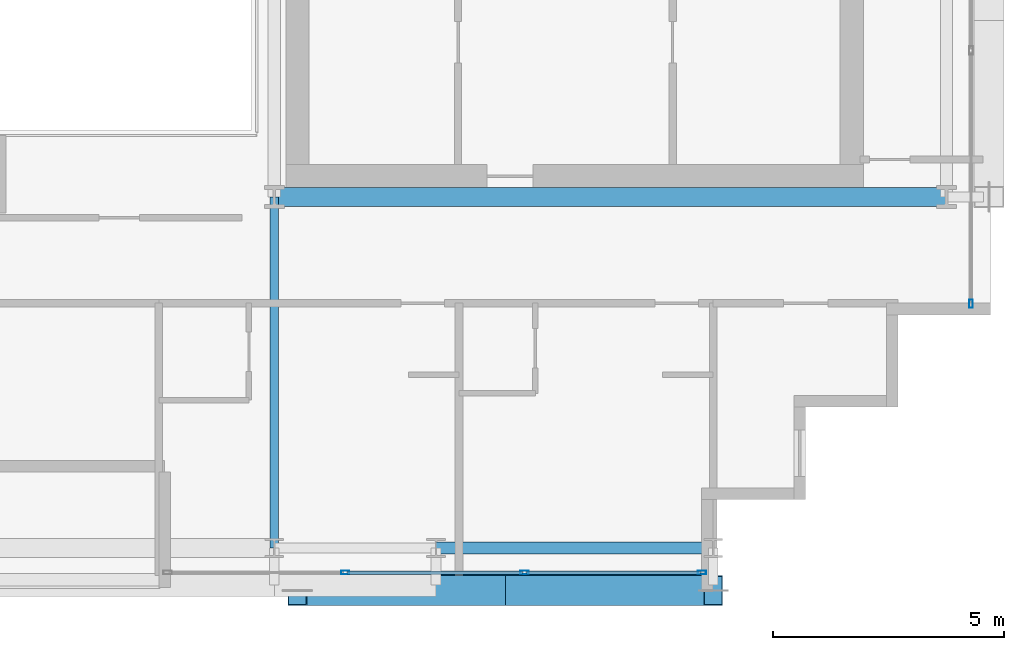
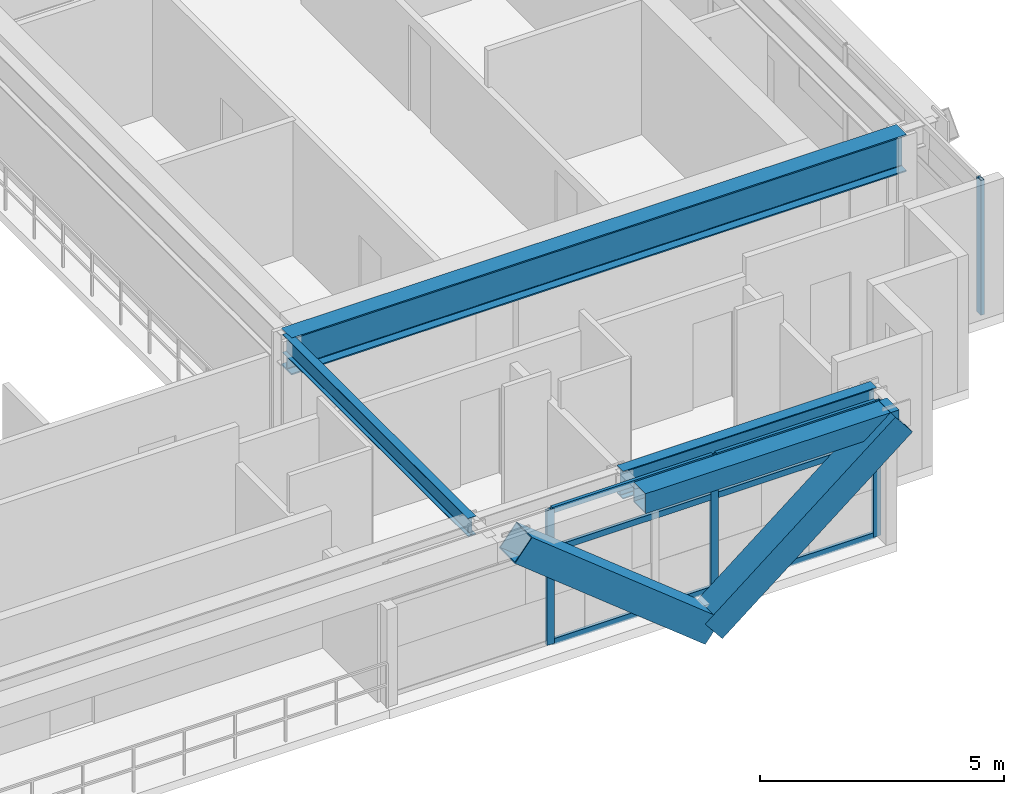
# One storey, part 10 of 32: 12 members, 4 beams, 2 elements without a shape of their own.
"""IFC4 building model written with IfcOpenShell, lengths in metres."""

from ifc_helpers import new_model, si_unit, direction, frame, origin, origin_2d, place, context, subcontext, project, spatial, hollow_rectangle, i_section, extrude, source, transform, mapped, material, layer, layer_set, material_profile, profile_set, type_object, element, aggregate, save


model = new_model("IFC4")

# Units and contexts
model_context = context("Model", 3, precision=1e-05, world=origin(), true_north=direction((0.0, 1.0)))
body_context = subcontext(model_context, "Body", "Model", "MODEL_VIEW")
ifc_project = project(units=[si_unit("LENGTHUNIT", "METRE"), si_unit("AREAUNIT", "SQUARE_METRE"), si_unit("VOLUMEUNIT", "CUBIC_METRE"), si_unit("PLANEANGLEUNIT", "RADIAN"), si_unit("MASSUNIT", "GRAM", prefix="KILO")], contexts=[model_context])

# Site, building, storey
site_placement = place(None, origin())
site = spatial("IfcSite", under=ifc_project, at=site_placement, CompositionType="ELEMENT")
building_placement = place(site_placement, origin())
building = spatial("IfcBuilding", under=site, at=building_placement, Name="Ocotamira Hotel", CompositionType="ELEMENT")
storey_placement = place(building_placement, frame((0.0, 0.0, 213.60009765625)))
storey = spatial("IfcBuildingStorey", under=building, at=storey_placement, Name="L54", CompositionType="ELEMENT", Elevation=213.60009765625)

# Beams
ifc_material_1 = material(Name="Steel ASTM A992 Grade 50", Category="steel")
ifc_material_profile_1 = material_profile(ifc_material_1, i_section(OverallWidth=0.41796875, OverallDepth=0.927001953125, WebThickness=0.019287109375, FlangeThickness=0.031982421875, FilletRadius=0.02392578125, at=origin_2d()), Name="W36X231")
ifc_profile_set_1 = profile_set([ifc_material_profile_1], Name="Steel ASTM A992 Grade 50")
beam_type_1 = type_object("IfcBeamType", Name="BM-GIRD-W36X231", PredefinedType="BEAM", material=ifc_profile_set_1)
shared_shape_1 = source(origin(), body_context, "Body", "SweptSolid", [
    extrude(i_section(OverallWidth=0.41796875, OverallDepth=0.927001953125, WebThickness=0.019287109375, FlangeThickness=0.031982421875, FilletRadius=0.02392578125, at=origin_2d()), origin(), (0.0, 0.0, 1.0), 14.550048828125),
])
beam_1_placement = place(storey_placement, frame((40.5, 14.550048828125, 2.906494140625), z_axis=(1.0, 0.0, 0.0), x_axis=(0.0, 1.0, 0.0)))
element("IfcBeam", 1, at=beam_1_placement, inside=storey, type_object=beam_type_1, Name="L54 Girder Y14.55 X40.5-55.05", PredefinedType="BEAM", context=body_context, shape_type="MappedRepresentation", body=[
    mapped(shared_shape_1, transform((0.0, 0.0, 0.0), scale=1.0)),
])
ifc_material_profile_2 = material_profile(ifc_material_1, i_section(OverallWidth=0.256103515625, OverallDepth=0.693115234375, WebThickness=0.014404296875, FlangeThickness=0.023681640625, FilletRadius=0.01611328125, at=origin_2d()), Name="W27X114")
ifc_profile_set_2 = profile_set([ifc_material_profile_2], Name="Steel ASTM A992 Grade 50")
beam_type_2 = type_object("IfcBeamType", Name="BM-PRIM-W27X114", PredefinedType="BEAM", material=ifc_profile_set_2)
shared_shape_2 = source(origin(), body_context, "Body", "SweptSolid", [
    extrude(i_section(OverallWidth=0.256103515625, OverallDepth=0.693115234375, WebThickness=0.014404296875, FlangeThickness=0.023681640625, FilletRadius=0.01611328125, at=origin_2d()), origin(), (0.0, 0.0, 1.0), 6.0),
])
beam_2_placement = place(storey_placement, frame((44.0, 6.949951171875, 3.0234375), z_axis=(1.0, 0.0, 0.0), x_axis=(0.0, 1.0, 0.0)))
element("IfcBeam", 2, at=beam_2_placement, inside=storey, type_object=beam_type_2, Name="L54 Girder Y6.95 X44-50", PredefinedType="BEAM", context=body_context, shape_type="MappedRepresentation", body=[
    mapped(shared_shape_2, transform((0.0, 0.0, 0.0), scale=1.0)),
])
ifc_material_2 = material(Name="Steel ASTM A500 Grade C", Category="steel")
ifc_material_profile_3 = material_profile(ifc_material_2, hollow_rectangle(XDim=0.5, YDim=0.5, WallThickness=0.02001953125, at=origin_2d()), Name="HSS500X500X20")
ifc_profile_set_3 = profile_set([ifc_material_profile_3], Name="Steel ASTM A500 Grade C")
beam_type_3 = type_object("IfcBeamType", Name="BM-SPAN-HSS500", PredefinedType="USERDEFINED", material=ifc_profile_set_3)
shared_shape_3 = source(origin(), body_context, "Body", "SweptSolid", [
    extrude(hollow_rectangle(XDim=0.5, YDim=0.5, WallThickness=0.02001953125, at=origin_2d()), origin(), (0.0, 0.0, 1.0), 6.0),
])
beam_3_placement = place(storey_placement, frame((44.0, 6.14990234375, 3.119873046875), z_axis=(1.0, 0.0, 0.0), x_axis=(0.0, 1.0, 0.0)))
element("IfcBeam", 3, at=beam_3_placement, inside=storey, type_object=beam_type_3, Name="L54 Edge Spandrel S X44-50", ObjectType="SPANDREL", PredefinedType="USERDEFINED", context=body_context, shape_type="MappedRepresentation", body=[
    mapped(shared_shape_3, transform((0.0, 0.0, 0.0), scale=1.0)),
])
ifc_material_profile_4 = material_profile(ifc_material_1, i_section(OverallWidth=0.18994140625, OverallDepth=0.45703125, WebThickness=0.009033203125, FlangeThickness=0.014404296875, FilletRadius=0.010009765625, at=origin_2d()), Name="W18X50")
ifc_profile_set_4 = profile_set([ifc_material_profile_4], Name="Steel ASTM A992 Grade 50")
beam_type_4 = type_object("IfcBeamType", Name="BM-SEC-W18X50", PredefinedType="JOIST", material=ifc_profile_set_4)
shared_shape_4 = source(origin(), body_context, "Body", "SweptSolid", [
    extrude(i_section(OverallWidth=0.18994140625, OverallDepth=0.45703125, WebThickness=0.009033203125, FlangeThickness=0.014404296875, FilletRadius=0.010009765625, at=origin_2d()), origin(), (0.0, 0.0, 1.0), 7.60009765625),
])
beam_4_placement = place(storey_placement, frame((40.5, 6.949951171875, 3.141357421875), z_axis=(0.0, 1.0, 0.0), x_axis=(-1.0, 0.0, 0.0)))
element("IfcBeam", 4, at=beam_4_placement, inside=storey, type_object=beam_type_4, Name="L54 Beam X40.5 Y6.95-14.55", PredefinedType="JOIST", context=body_context, shape_type="MappedRepresentation", body=[
    mapped(shared_shape_4, transform((0.0, 0.0, 0.0), scale=1.0)),
])

# Members
ifc_material_3 = material(Name="Pale-metal coated steel ASTM A913 Grade 65", Category="steel")
ifc_material_profile_5 = material_profile(ifc_material_3, hollow_rectangle(XDim=0.64990234375, YDim=0.64990234375, WallThickness=0.02197265625, at=origin_2d()), Name="BOX650X650X22")
ifc_profile_set_5 = profile_set([ifc_material_profile_5], Name="Pale-metal coated steel ASTM A913 Grade 65")
member_type_1 = type_object("IfcMemberType", Name="MEM-EXO-BOX650", PredefinedType="BRACE", material=ifc_profile_set_5)
shared_shape_5 = source(origin(), body_context, "Body", "SweptSolid", [
    extrude(hollow_rectangle(XDim=0.64990234375, YDim=0.64990234375, WallThickness=0.02197265625, at=origin_2d()), origin(), (0.0, 0.0, 1.0), 5.7626953125),
])
for number, where, z_axis, x_axis, name in (
    (5, (45.5, 6.030029296875, -0.47998046875), (-0.780881208953, 0.0, 0.624679547852), (0.0, -1.0, 0.0), "L54 Exoskeleton Diagrid S3.1"),
    (6, (45.5, 6.030029296875, -0.47998046875), (0.780881208953, 0.0, 0.624679547852), (0.0, 1.0, 0.0), "L54 Exoskeleton Diagrid S3.2"),
):
    element("IfcMember", number, at=place(storey_placement, frame(where, z_axis=z_axis, x_axis=x_axis)), inside=storey, type_object=member_type_1, Name=name, PredefinedType="BRACE", context=body_context, shape_type="MappedRepresentation", body=[
        mapped(shared_shape_5, transform((0.0, 0.0, 0.0), scale=1.0)),
    ])

# Curtain wall, members
ifc_material_4 = material(Name="Anodised pale-metal aluminium and solar glass", Category="aluminium")
ifc_layer = layer(ifc_material_4, 0.199951171875)
ifc_layer_set = layer_set([ifc_layer], Name="Anodised pale-metal aluminium and solar glass")
curtain_wall_type = type_object("IfcCurtainWallType", Name="CW-SYS4-Z3", PredefinedType="NOTDEFINED", material=ifc_layer_set)
curtain_wall_1_placement = place(storey_placement, origin())
curtain_wall_1 = element("IfcCurtainWall", 7, at=curtain_wall_1_placement, inside=storey, type_object=curtain_wall_type, Name="L54 Curtain Wall CW-4 CW-L54-S2", PredefinedType="NOTDEFINED")
ifc_material_5 = material(Name="Anodised pale-metal aluminium 6063-T6", Category="aluminium")
ifc_material_profile_6 = material_profile(ifc_material_5, hollow_rectangle(XDim=0.080078125, YDim=0.179931640625, WallThickness=0.006103515625, at=origin_2d()), Name="HSS180X80X6")
ifc_profile_set_6 = profile_set([ifc_material_profile_6], Name="Anodised pale-metal aluminium 6063-T6")
member_type_2 = type_object("IfcMemberType", Name="CWM-180X75", PredefinedType="MULLION", material=ifc_profile_set_6)
shared_shape_6 = source(origin(), body_context, "Body", "SweptSolid", [
    extrude(hollow_rectangle(XDim=0.080078125, YDim=0.179931640625, WallThickness=0.006103515625, at=origin_2d()), origin(), (0.0, 0.0, 1.0), 3.369873046875),
])
member_1_placement = place(storey_placement, frame((42.033447265625, 6.419921875, 0.0), z_axis=(0.0, 0.0, 1.0), x_axis=(0.0, 1.0, 0.0)))
member_1 = element("IfcMember", 8, at=member_1_placement, type_object=member_type_2, Name="CW-4 mullion 2", PredefinedType="MULLION", context=body_context, shape_type="MappedRepresentation", body=[
    mapped(shared_shape_6, transform((0.0, 0.0, 0.0), scale=1.0)),
])
member_2_placement = place(storey_placement, frame((45.916748046875, 6.419921875, 0.0), z_axis=(0.0, 0.0, 1.0), x_axis=(0.0, 1.0, 0.0)))
member_2 = element("IfcMember", 9, at=member_2_placement, type_object=member_type_2, Name="CW-4 mullion 3", PredefinedType="MULLION", context=body_context, shape_type="MappedRepresentation", body=[
    mapped(shared_shape_6, transform((0.0, 0.0, 0.0), scale=1.0)),
])
member_3_placement = place(storey_placement, frame((49.760009765625, 6.419921875, 0.0), z_axis=(0.0, 0.0, 1.0), x_axis=(0.0, 1.0, 0.0)))
member_3 = element("IfcMember", 10, at=member_3_placement, type_object=member_type_2, Name="CW-4 mullion 4", PredefinedType="MULLION", context=body_context, shape_type="MappedRepresentation", body=[
    mapped(shared_shape_6, transform((0.0, 0.0, 0.0), scale=1.0)),
])

# Curtain wall, member
curtain_wall_2_placement = place(storey_placement, origin())
curtain_wall_2 = element("IfcCurtainWall", 11, at=curtain_wall_2_placement, inside=storey, type_object=curtain_wall_type, Name="L54 Curtain Wall CW-4 CW-L54-E", PredefinedType="NOTDEFINED")
member_4_placement = place(storey_placement, frame((55.580078125, 12.239990234375, 0.0), z_axis=(0.0, 0.0, 1.0), x_axis=(-1.0, 0.0, 0.0)))
member_4 = element("IfcMember", 12, at=member_4_placement, type_object=member_type_2, Name="CW-4 mullion 1", PredefinedType="MULLION", context=body_context, shape_type="MappedRepresentation", body=[
    mapped(shared_shape_6, transform((0.0, 0.0, 0.0), scale=1.0)),
])
aggregate(curtain_wall_2, [member_4])

# Member
ifc_material_profile_7 = material_profile(ifc_material_5, hollow_rectangle(XDim=0.074951171875, YDim=0.14990234375, WallThickness=0.006103515625, at=origin_2d()), Name="HSS150X75X6")
ifc_profile_set_7 = profile_set([ifc_material_profile_7], Name="Anodised pale-metal aluminium 6063-T6")
member_type_3 = type_object("IfcMemberType", Name="CWT-150X75", PredefinedType="USERDEFINED", material=ifc_profile_set_7)
shared_shape_7 = source(origin(), body_context, "Body", "SweptSolid", [
    extrude(hollow_rectangle(XDim=0.074951171875, YDim=0.14990234375, WallThickness=0.006103515625, at=origin_2d()), origin(), (0.0, 0.0, 1.0), 3.76318359375),
])
member_5_placement = place(storey_placement, frame((45.956787109375, 6.419921875, 0.037353515625), z_axis=(1.0, 0.0, 0.0), x_axis=(0.0, 1.0, 0.0)))
member_5 = element("IfcMember", 13, at=member_5_placement, type_object=member_type_3, Name="CW-4 transom 3.1", ObjectType="TRANSOM", PredefinedType="USERDEFINED", context=body_context, shape_type="MappedRepresentation", body=[
    mapped(shared_shape_7, transform((0.0, 0.0, 0.0), scale=1.0)),
])

member_6_placement = place(storey_placement, frame((45.956787109375, 6.419921875, 2.349853515625), z_axis=(1.0, 0.0, 0.0), x_axis=(0.0, 1.0, 0.0)))
member_6 = element("IfcMember", 14, at=member_6_placement, type_object=member_type_3, Name="CW-4 transom 3.2", ObjectType="TRANSOM", PredefinedType="USERDEFINED", context=body_context, shape_type="MappedRepresentation", body=[
    mapped(shared_shape_7, transform((0.0, 0.0, 0.0), scale=1.0)),
])

member_7_placement = place(storey_placement, frame((45.956787109375, 6.419921875, 3.33251953125), z_axis=(1.0, 0.0, 0.0), x_axis=(0.0, 1.0, 0.0)))
member_7 = element("IfcMember", 15, at=member_7_placement, type_object=member_type_3, Name="CW-4 transom 3.3", ObjectType="TRANSOM", PredefinedType="USERDEFINED", context=body_context, shape_type="MappedRepresentation", body=[
    mapped(shared_shape_7, transform((0.0, 0.0, 0.0), scale=1.0)),
])

shared_shape_8 = source(origin(), body_context, "Body", "SweptSolid", [
    extrude(hollow_rectangle(XDim=0.074951171875, YDim=0.14990234375, WallThickness=0.006103515625, at=origin_2d()), origin(), (0.0, 0.0, 1.0), 3.803466796875),
])
member_8_placement = place(storey_placement, frame((42.0732421875, 6.419921875, 0.037353515625), z_axis=(1.0, 0.0, 0.0), x_axis=(0.0, 1.0, 0.0)))
member_8 = element("IfcMember", 16, at=member_8_placement, type_object=member_type_3, Name="CW-4 transom 2.1", ObjectType="TRANSOM", PredefinedType="USERDEFINED", context=body_context, shape_type="MappedRepresentation", body=[
    mapped(shared_shape_8, transform((0.0, 0.0, 0.0), scale=1.0)),
])

member_9_placement = place(storey_placement, frame((42.0732421875, 6.419921875, 2.349853515625), z_axis=(1.0, 0.0, 0.0), x_axis=(0.0, 1.0, 0.0)))
member_9 = element("IfcMember", 17, at=member_9_placement, type_object=member_type_3, Name="CW-4 transom 2.2", ObjectType="TRANSOM", PredefinedType="USERDEFINED", context=body_context, shape_type="MappedRepresentation", body=[
    mapped(shared_shape_8, transform((0.0, 0.0, 0.0), scale=1.0)),
])

member_10_placement = place(storey_placement, frame((42.0732421875, 6.419921875, 3.33251953125), z_axis=(1.0, 0.0, 0.0), x_axis=(0.0, 1.0, 0.0)))
member_10 = element("IfcMember", 18, at=member_10_placement, type_object=member_type_3, Name="CW-4 transom 2.3", ObjectType="TRANSOM", PredefinedType="USERDEFINED", context=body_context, shape_type="MappedRepresentation", body=[
    mapped(shared_shape_8, transform((0.0, 0.0, 0.0), scale=1.0)),
])

aggregate(curtain_wall_1, [member_1, member_2, member_3, member_8, member_9, member_10, member_5, member_6, member_7])

save(model, "model.ifc")
